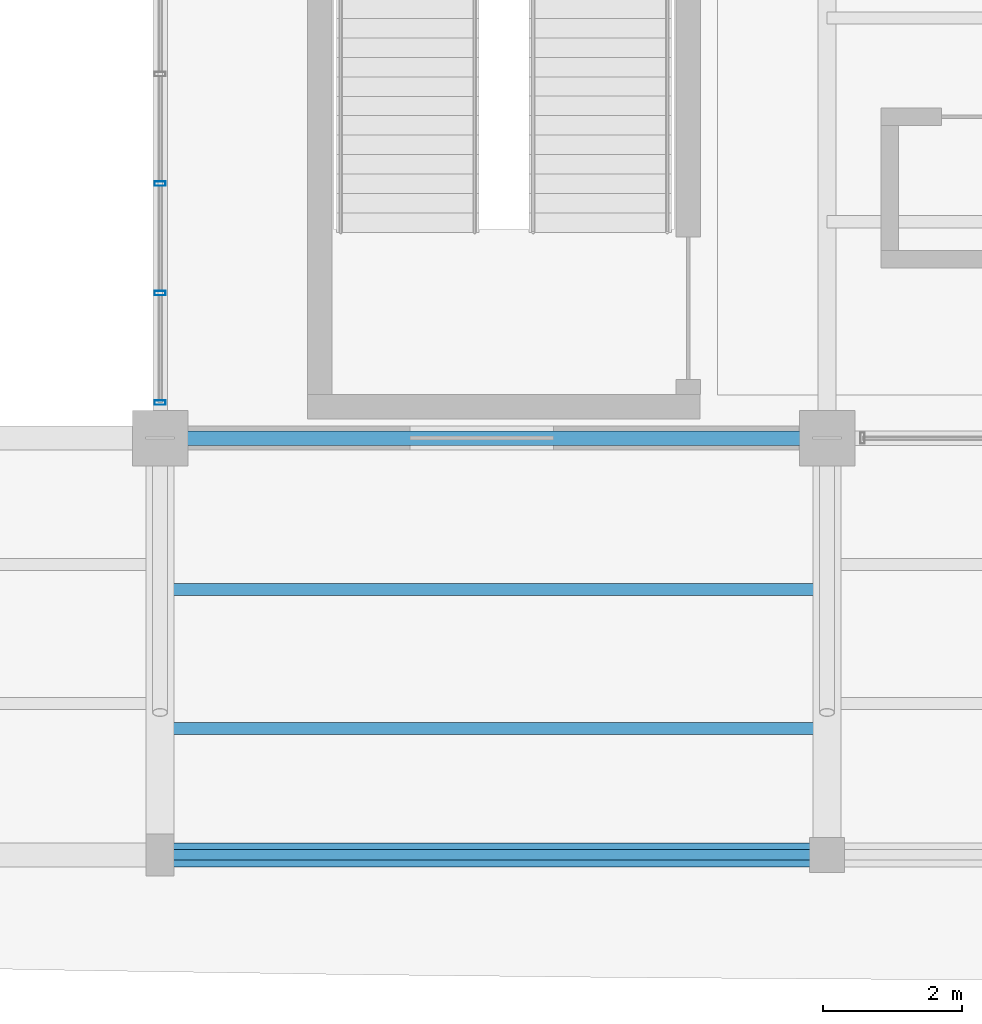
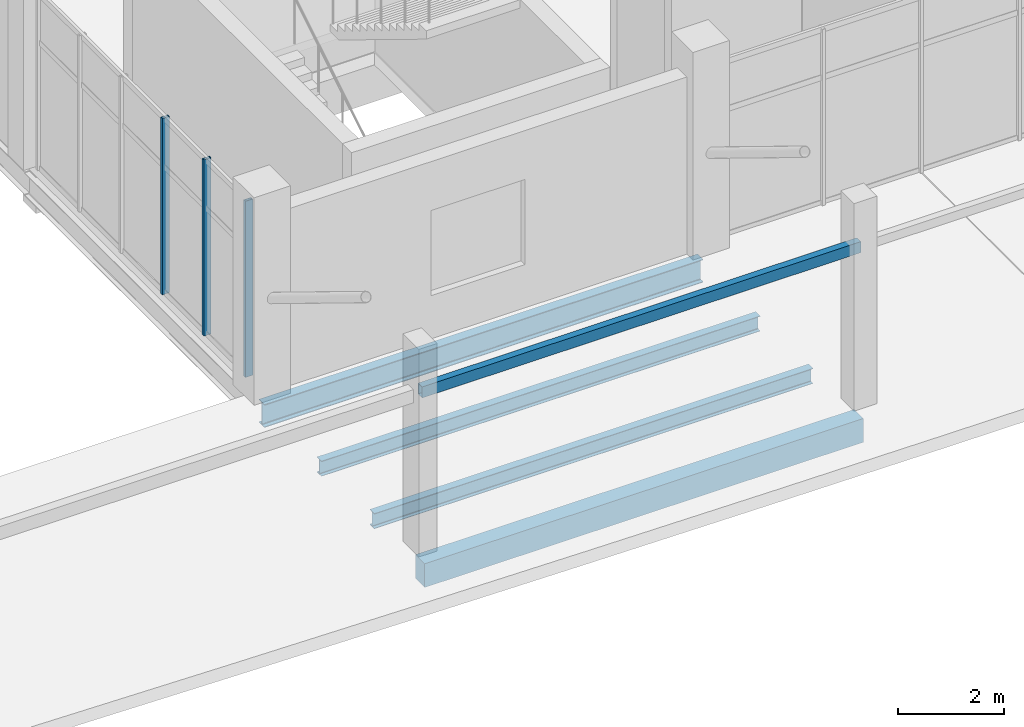
# One storey, part 23 of 116: 5 beams, 3 members, 1 element without a shape of its own.
"""IFC4 building model written with IfcOpenShell, lengths in metres."""

from ifc_helpers import new_model, si_unit, direction, frame, origin, origin_2d, place, context, subcontext, project, spatial, rectangle, hollow_rectangle, i_section, extrude, material, layer, layer_set, material_profile, profile_set, type_object, element, aggregate, save


model = new_model("IFC4")

# Units and contexts
model_context = context("Model", 3, precision=1e-05, world=origin(), true_north=direction((0.0, 1.0)))
body_context = subcontext(model_context, "Body", "Model", "MODEL_VIEW")
ifc_project = project(units=[si_unit("LENGTHUNIT", "METRE"), si_unit("AREAUNIT", "SQUARE_METRE"), si_unit("VOLUMEUNIT", "CUBIC_METRE"), si_unit("PLANEANGLEUNIT", "RADIAN"), si_unit("MASSUNIT", "GRAM", prefix="KILO")], contexts=[model_context])

# Site, building, storey
site_placement = place(None, origin())
site = spatial("IfcSite", under=ifc_project, at=site_placement, CompositionType="ELEMENT")
building_placement = place(site_placement, origin())
building = spatial("IfcBuilding", under=site, at=building_placement, Name="Chalmorin Arch Market", CompositionType="ELEMENT")
storey_placement = place(building_placement, origin())
storey = spatial("IfcBuildingStorey", under=building, at=storey_placement, Name="L00", CompositionType="ELEMENT", Elevation=0.0)

# Curtain wall, members
ifc_material_1 = material(Name="Aluminium 6063-T6", Category="aluminium")
ifc_layer = layer(ifc_material_1, 0.159912109375)
ifc_layer_set = layer_set([ifc_layer], Name="Aluminium 6063-T6")
curtain_wall_type = type_object("IfcCurtainWallType", Name="GableTympanumCurtainWall-CW4-7880x4080", PredefinedType="NOTDEFINED", material=ifc_layer_set)
curtain_wall_placement = place(storey_placement, origin())
curtain_wall = element("IfcCurtainWall", 1, at=curtain_wall_placement, inside=storey, type_object=curtain_wall_type, Name="CW-04-025", PredefinedType="NOTDEFINED")
ifc_material_profile_1 = material_profile(ifc_material_1, hollow_rectangle(XDim=0.06494140625, YDim=0.159912109375, WallThickness=0.00390625, at=origin_2d()), Name="ALU65X160X4")
ifc_profile_set_1 = profile_set([ifc_material_profile_1], Name="Aluminium 6063-T6")
member_type = type_object("IfcMemberType", Name="CurtainWallMullion-65x160", PredefinedType="MULLION", material=ifc_profile_set_1)
member_1_placement = place(storey_placement, frame((48.0, 6.510009765625, 0.0), z_axis=(0.0, 0.0, 1.0), x_axis=(0.0, 1.0, 0.0)))
member_1 = element("IfcMember", 2, at=member_1_placement, type_object=member_type, Name="ML-025-01", PredefinedType="MULLION", context=body_context, shape_type="SweptSolid", body=[
    extrude(hollow_rectangle(XDim=0.06494140625, YDim=0.159912109375, WallThickness=0.00390625, at=origin_2d()), origin(), (0.0, 0.0, 1.0), 4.075927734375),
])
member_2_placement = place(storey_placement, frame((48.0, 8.0859375, 0.0), z_axis=(0.0, 0.0, 1.0), x_axis=(0.0, 1.0, 0.0)))
member_2 = element("IfcMember", 3, at=member_2_placement, type_object=member_type, Name="ML-025-02", PredefinedType="MULLION", context=body_context, shape_type="SweptSolid", body=[
    extrude(hollow_rectangle(XDim=0.06494140625, YDim=0.159912109375, WallThickness=0.00390625, at=origin_2d()), origin(), (0.0, 0.0, 1.0), 4.075927734375),
])
member_3_placement = place(storey_placement, frame((48.0, 9.662109375, 0.0), z_axis=(0.0, 0.0, 1.0), x_axis=(0.0, 1.0, 0.0)))
member_3 = element("IfcMember", 4, at=member_3_placement, type_object=member_type, Name="ML-025-03", PredefinedType="MULLION", context=body_context, shape_type="SweptSolid", body=[
    extrude(hollow_rectangle(XDim=0.06494140625, YDim=0.159912109375, WallThickness=0.00390625, at=origin_2d()), origin(), (0.0, 0.0, 1.0), 4.075927734375),
])
aggregate(curtain_wall, [member_1, member_2, member_3])

# Beams
ifc_material_2 = material(Name="Steel A500 Grade C", Category="steel")
ifc_material_profile_2 = material_profile(ifc_material_2, hollow_rectangle(XDim=0.15234375, YDim=0.25390625, WallThickness=0.0087890625, at=origin_2d()), Name="HSS10X6X3/8")
ifc_profile_set_2 = profile_set([ifc_material_profile_2], Name="Steel A500 Grade C")
beam_type_1 = type_object("IfcBeamType", Name="OpeningLintelBeam-HSS10X6", PredefinedType="LINTEL", material=ifc_profile_set_2)
beam_1_placement = place(storey_placement, frame((48.0, 0.0, 3.60009765625), z_axis=(1.0, 0.0, 0.0), x_axis=(0.0, 1.0, 0.0)))
element("IfcBeam", 5, at=beam_1_placement, inside=storey, type_object=beam_type_1, Name="LN-01-1761", PredefinedType="LINTEL", context=body_context, shape_type="SweptSolid", body=[
    extrude(hollow_rectangle(XDim=0.15234375, YDim=0.25390625, WallThickness=0.0087890625, at=origin_2d()), origin(), (0.0, 0.0, 1.0), 9.60009765625),
])
ifc_material_3 = material(Name="Steel A992 Grade 50", Category="steel")
ifc_material_profile_3 = material_profile(ifc_material_3, i_section(OverallWidth=0.208984375, OverallDepth=0.532958984375, WebThickness=0.01025390625, FlangeThickness=0.015625, FilletRadius=0.02197265625, at=origin_2d()), Name="W21X62")
ifc_profile_set_3 = profile_set([ifc_material_profile_3], Name="Steel A992 Grade 50")
beam_type_2 = type_object("IfcBeamType", Name="PerimeterSpandrelBeam-W21X62", PredefinedType="SPANDREL", material=ifc_profile_set_3)
beam_2_placement = place(storey_placement, frame((48.0, 6.0, -0.568603515625), z_axis=(1.0, 0.0, 0.0), x_axis=(0.0, 1.0, 0.0)))
element("IfcBeam", 6, at=beam_2_placement, inside=storey, type_object=beam_type_2, Name="SP-W21-0001", PredefinedType="SPANDREL", context=body_context, shape_type="SweptSolid", body=[
    extrude(i_section(OverallWidth=0.208984375, OverallDepth=0.532958984375, WebThickness=0.01025390625, FlangeThickness=0.015625, FilletRadius=0.02197265625, at=origin_2d()), origin(), (0.0, 0.0, 1.0), 9.60009765625),
])
ifc_material_profile_4 = material_profile(ifc_material_3, i_section(OverallWidth=0.1708984375, OverallDepth=0.35107421875, WebThickness=0.0068359375, FlangeThickness=0.009765625, FilletRadius=0.014892578125, at=origin_2d()), Name="W14X30")
ifc_profile_set_4 = profile_set([ifc_material_profile_4], Name="Steel A992 Grade 50")
beam_type_3 = type_object("IfcBeamType", Name="SecondaryFloorJoist-W14X30", PredefinedType="JOIST", material=ifc_profile_set_4)
for number, where, z_axis, x_axis, name in (
    (7, (48.0, 1.820068359375, -0.4775390625), (1.0, 0.0, 0.0), (0.0, 1.0, 0.0), "BJ-W14-0584"),
    (8, (48.0, 3.820068359375, -0.4775390625), (1.0, 0.0, 0.0), (0.0, 1.0, 0.0), "BJ-W14-0585"),
):
    element("IfcBeam", number, at=place(storey_placement, frame(where, z_axis=z_axis, x_axis=x_axis)), inside=storey, type_object=beam_type_3, Name=name, PredefinedType="JOIST", context=body_context, shape_type="SweptSolid", body=[
        extrude(i_section(OverallWidth=0.1708984375, OverallDepth=0.35107421875, WebThickness=0.0068359375, FlangeThickness=0.009765625, FilletRadius=0.014892578125, at=origin_2d()), origin(), (0.0, 0.0, 1.0), 9.60009765625),
    ])
ifc_material_4 = material(Name="Concrete C40/50", Category="concrete")
ifc_material_profile_5 = material_profile(ifc_material_4, rectangle(XDim=0.35009765625, YDim=0.550048828125, at=origin_2d()), Name="RC350X550")
ifc_profile_set_5 = profile_set([ifc_material_profile_5], Name="Concrete C40/50")
beam_type_4 = type_object("IfcBeamType", Name="TerraceEdgeBeam-350x550", PredefinedType="SPANDREL", material=ifc_profile_set_5)
beam_3_placement = place(storey_placement, frame((48.0, 0.0, -0.576904296875), z_axis=(1.0, 0.0, 0.0), x_axis=(0.0, 1.0, 0.0)))
element("IfcBeam", 9, at=beam_3_placement, inside=storey, type_object=beam_type_4, Name="SP-RC1-0558", PredefinedType="SPANDREL", context=body_context, shape_type="SweptSolid", body=[
    extrude(rectangle(XDim=0.35009765625, YDim=0.550048828125, at=origin_2d()), origin(), (0.0, 0.0, 1.0), 9.60009765625),
])

save(model, "model.ifc")
